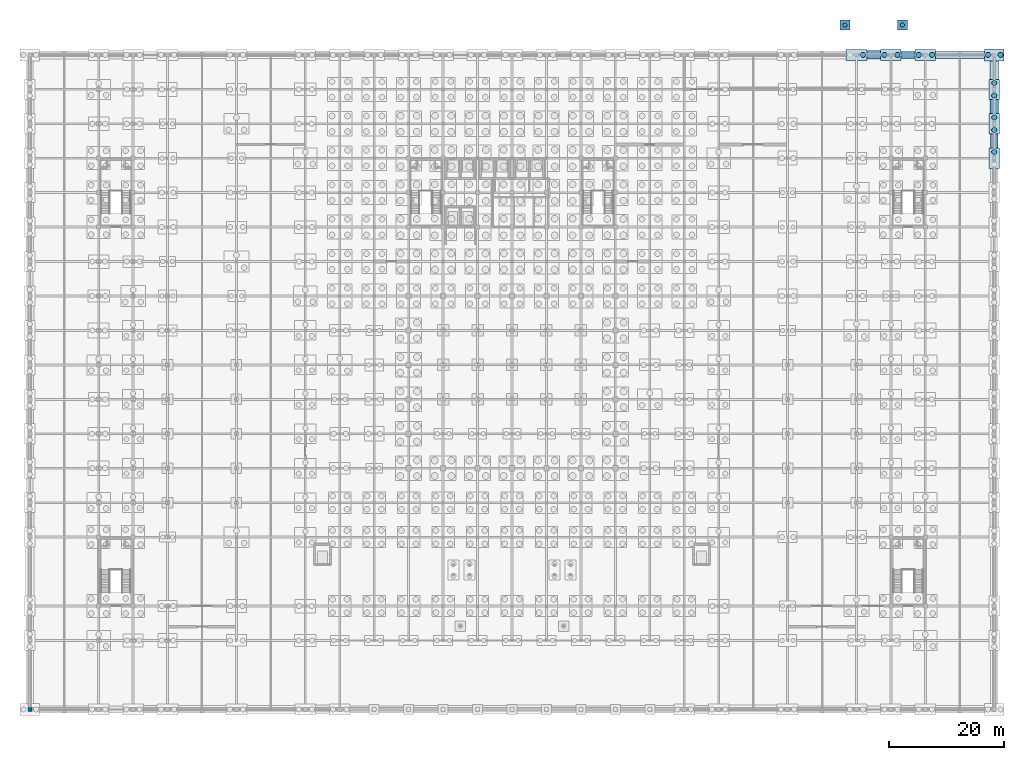
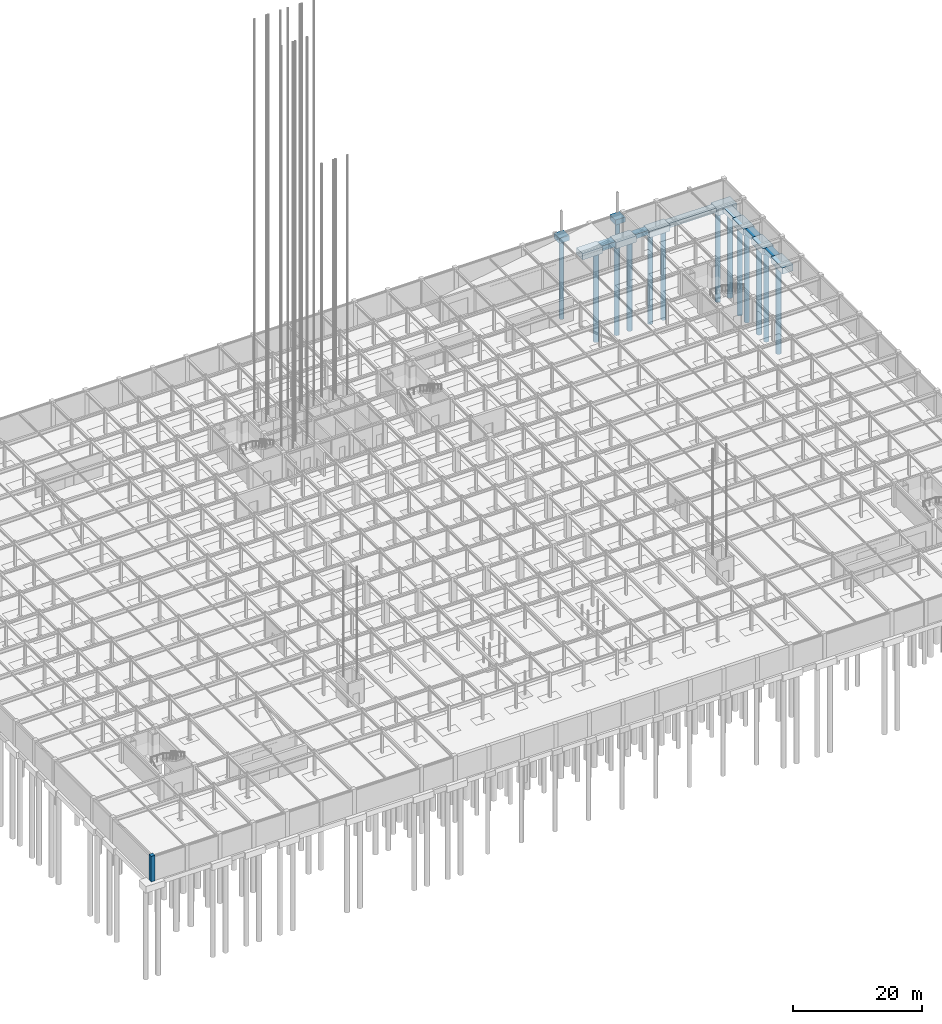
# One storey, part 11 of 69: 15 footings, 14 piles, 1 column.
"""IFC4 building model written with IfcOpenShell, lengths in metres."""

from ifc_helpers import new_model, si_unit, direction, frame, origin, origin_with_axes, origin_2d, place, context, subcontext, project, spatial, rectangle, circle, extrude, material, material_profile, profile_set, type_object, element, save


model = new_model("IFC4")

# Units and contexts
model_context = context("Model", 3, precision=1e-05, world=origin(), true_north=direction((0.0, 1.0)))
body_context = subcontext(model_context, "Body", "Model", "MODEL_VIEW")
ifc_project = project(units=[si_unit("LENGTHUNIT", "METRE"), si_unit("AREAUNIT", "SQUARE_METRE"), si_unit("VOLUMEUNIT", "CUBIC_METRE"), si_unit("PLANEANGLEUNIT", "RADIAN"), si_unit("MASSUNIT", "GRAM", prefix="KILO")], contexts=[model_context])

# Site, building, storey
site_placement = place(None, origin())
site = spatial("IfcSite", under=ifc_project, at=site_placement, CompositionType="ELEMENT")
building_placement = place(site_placement, origin())
building = spatial("IfcBuilding", under=site, at=building_placement, Name="Zlatovratsky Civic Hall", CompositionType="ELEMENT")
storey_placement = place(building_placement, frame((0.0, 0.0, -4.800048828125)))
storey = spatial("IfcBuildingStorey", under=building, at=storey_placement, Name="B1", CompositionType="ELEMENT", Elevation=-4.800048828125)

# Footings
ifc_material_1 = material(Name="Concrete C25/30 (B30)", Category="concrete")
footing_type_1 = type_object("IfcFootingType", Name="Footing_Cap1_ForecourtUnder_1750x1750x950", PredefinedType="PILE_CAP", material=ifc_material_1)
for number, where, z_axis, x_axis, name in (
    (1, (142.0, 119.199951171875, -0.94970703125), (0.0, 0.0, 1.0), (1.0, 0.0, 0.0), "FD-493"),
    (2, (152.0, 119.199951171875, -0.94970703125), (0.0, 0.0, 1.0), (1.0, 0.0, 0.0), "FD-494"),
):
    element("IfcFooting", number, at=place(storey_placement, frame(where, z_axis=z_axis, x_axis=x_axis)), inside=storey, type_object=footing_type_1, Name=name, PredefinedType="PILE_CAP", context=body_context, shape_type="SweptSolid", body=[
        extrude(rectangle(XDim=1.75, YDim=1.75, at=origin_2d()), origin(), (0.0, 0.0, 1.0), 0.949951171875),
    ])
footing_type_2 = type_object("IfcFootingType", Name="Footing_Cap2_CornerBastion_3400x2100x1250", PredefinedType="PILE_CAP", material=ifc_material_1)
footing_1_placement = place(storey_placement, frame((168.0, 114.0, -1.25), z_axis=(0.0, 0.0, 1.0), x_axis=(1.0, 0.0, 0.0)))
element("IfcFooting", 3, at=footing_1_placement, inside=storey, type_object=footing_type_2, Name="FD-414", PredefinedType="PILE_CAP", context=body_context, shape_type="SweptSolid", body=[
    extrude(rectangle(XDim=3.39990234375, YDim=2.10009765625, at=origin_2d()), origin(), (0.0, 0.0, 1.0), 1.25),
])
footing_type_3 = type_object("IfcFootingType", Name="Footing_Cap2_WingEdgeX_3600x1900x1200", PredefinedType="PILE_CAP", material=ifc_material_1)
for number, where, z_axis, x_axis, name in (
    (4, (144.0, 114.0, -1.19970703125), (0.0, 0.0, 1.0), (1.0, 0.0, 0.0), "FD-411"),
    (5, (150.0, 114.0, -1.19970703125), (0.0, 0.0, 1.0), (1.0, 0.0, 0.0), "FD-412"),
    (6, (156.0, 114.0, -1.19970703125), (0.0, 0.0, 1.0), (1.0, 0.0, 0.0), "FD-413"),
):
    element("IfcFooting", number, at=place(storey_placement, frame(where, z_axis=z_axis, x_axis=x_axis)), inside=storey, type_object=footing_type_3, Name=name, PredefinedType="PILE_CAP", context=body_context, shape_type="SweptSolid", body=[
        extrude(rectangle(XDim=3.60009765625, YDim=1.89990234375, at=origin_2d()), origin(), (0.0, 0.0, 1.0), 1.199951171875),
    ])
footing_type_4 = type_object("IfcFootingType", Name="Footing_Cap2_WingEdgeY_1900x3500x1200", PredefinedType="PILE_CAP", material=ifc_material_1)
for number, where, z_axis, x_axis, name in (
    (7, (168.0, 96.0, -1.19970703125), (0.0, 0.0, 1.0), (1.0, 0.0, 0.0), "FD-345"),
    (8, (168.0, 102.0, -1.19970703125), (0.0, 0.0, 1.0), (1.0, 0.0, 0.0), "FD-368"),
    (9, (168.0, 108.0, -1.19970703125), (0.0, 0.0, 1.0), (1.0, 0.0, 0.0), "FD-391"),
):
    element("IfcFooting", number, at=place(storey_placement, frame(where, z_axis=z_axis, x_axis=x_axis)), inside=storey, type_object=footing_type_4, Name=name, PredefinedType="PILE_CAP", context=body_context, shape_type="SweptSolid", body=[
        extrude(rectangle(XDim=1.89990234375, YDim=3.5, at=origin_2d()), origin(), (0.0, 0.0, 1.0), 1.199951171875),
    ])
footing_type_5 = type_object("IfcFootingType", Name="Footing_Strip_B1_01", PredefinedType="STRIP_FOOTING", material=ifc_material_1)
footing_2_placement = place(storey_placement, frame((153.0, 114.0, -0.85009765625), z_axis=(0.0, 0.0, 1.0), x_axis=(1.0, 0.0, 0.0)))
element("IfcFooting", 10, at=footing_2_placement, inside=storey, type_object=footing_type_5, Name="FD-457", PredefinedType="STRIP_FOOTING", context=body_context, shape_type="SweptSolid", body=[
    extrude(rectangle(XDim=2.39990234375, YDim=1.199951171875, at=origin_2d()), origin(), (0.0, 0.0, 1.0), 0.85009765625),
])
footing_type_6 = type_object("IfcFootingType", Name="Footing_Strip_B1_02", PredefinedType="STRIP_FOOTING", material=ifc_material_1)
footing_3_placement = place(storey_placement, frame((162.050048828125, 114.0, -0.85009765625), z_axis=(0.0, 0.0, 1.0), x_axis=(1.0, 0.0, 0.0)))
element("IfcFooting", 11, at=footing_3_placement, inside=storey, type_object=footing_type_6, Name="FD-458", PredefinedType="STRIP_FOOTING", context=body_context, shape_type="SweptSolid", body=[
    extrude(rectangle(XDim=8.5, YDim=1.25, at=origin_2d()), origin(), (0.0, 0.0, 1.0), 0.85009765625),
])
footing_type_7 = type_object("IfcFootingType", Name="Footing_Strip_B1_04", PredefinedType="STRIP_FOOTING", material=ifc_material_1)
footing_4_placement = place(storey_placement, frame((168.0, 99.0, -0.89990234375), z_axis=(0.0, 0.0, 1.0), x_axis=(1.0, 0.0, 0.0)))
element("IfcFooting", 12, at=footing_4_placement, inside=storey, type_object=footing_type_7, Name="FD-490", PredefinedType="STRIP_FOOTING", context=body_context, shape_type="SweptSolid", body=[
    extrude(rectangle(XDim=1.35009765625, YDim=2.5, at=origin_2d()), origin(), (0.0, 0.0, 1.0), 0.89990234375),
])
footing_type_8 = type_object("IfcFootingType", Name="Footing_Strip_B1_05", PredefinedType="STRIP_FOOTING", material=ifc_material_1)
footing_5_placement = place(storey_placement, frame((168.0, 105.0, -0.94970703125), z_axis=(0.0, 0.0, 1.0), x_axis=(1.0, 0.0, 0.0)))
element("IfcFooting", 13, at=footing_5_placement, inside=storey, type_object=footing_type_8, Name="FD-491", PredefinedType="STRIP_FOOTING", context=body_context, shape_type="SweptSolid", body=[
    extrude(rectangle(XDim=1.39990234375, YDim=2.5, at=origin_2d()), origin(), (0.0, 0.0, 1.0), 0.949951171875),
])
footing_type_9 = type_object("IfcFootingType", Name="Footing_Strip_B1_06", PredefinedType="STRIP_FOOTING", material=ifc_material_1)
footing_6_placement = place(storey_placement, frame((147.0, 114.0, -0.94970703125), z_axis=(0.0, 0.0, 1.0), x_axis=(1.0, 0.0, 0.0)))
element("IfcFooting", 14, at=footing_6_placement, inside=storey, type_object=footing_type_9, Name="FD-456", PredefinedType="STRIP_FOOTING", context=body_context, shape_type="SweptSolid", body=[
    extrude(rectangle(XDim=2.39990234375, YDim=1.449951171875, at=origin_2d()), origin(), (0.0, 0.0, 1.0), 0.949951171875),
])
footing_7_placement = place(storey_placement, frame((168.0, 111.35009765625, -0.94970703125), z_axis=(0.0, 0.0, 1.0), x_axis=(1.0, 0.0, 0.0)))
element("IfcFooting", 15, at=footing_7_placement, inside=storey, type_object=footing_type_9, Name="FD-492", PredefinedType="STRIP_FOOTING", context=body_context, shape_type="SweptSolid", body=[
    extrude(rectangle(XDim=1.449951171875, YDim=3.199951171875, at=origin_2d()), origin(), (0.0, 0.0, 1.0), 0.949951171875),
])

# Piles
ifc_material_profile_1 = material_profile(ifc_material_1, circle(Radius=0.375, at=origin_2d()), Name="PILE D750")
ifc_profile_set_1 = profile_set([ifc_material_profile_1], Name="Concrete C25/30 (B30)")
pile_type_1 = type_object("IfcPileType", Name="Pile_Bored_D750", PredefinedType="BORED", material=ifc_profile_set_1)
for number, where, z_axis, x_axis, name in (
    (16, (142.0, 119.199951171875, -0.849853515625), (0.0, 0.0, -1.0), (1.0, 0.0, 0.0), "PL-1122"),
    (17, (152.0, 119.199951171875, -0.849853515625), (0.0, 0.0, -1.0), (1.0, 0.0, 0.0), "PL-1123"),
):
    element("IfcPile", number, at=place(storey_placement, frame(where, z_axis=z_axis, x_axis=x_axis)), inside=storey, type_object=pile_type_1, Name=name, PredefinedType="BORED", context=body_context, shape_type="SweptSolid", body=[
        extrude(circle(Radius=0.375, at=origin_2d()), origin(), (0.0, 0.0, 1.0), 15.0),
    ])
ifc_material_profile_2 = material_profile(ifc_material_1, circle(Radius=0.449951171875, at=origin_2d()), Name="PILE D900")
ifc_profile_set_2 = profile_set([ifc_material_profile_2], Name="Concrete C25/30 (B30)")
pile_type_2 = type_object("IfcPileType", Name="Pile_Bored_D900", PredefinedType="BORED", material=ifc_profile_set_2)
for number, where, z_axis, x_axis, name in (
    (18, (168.0, 97.10009765625, -1.099853515625), (0.0, 0.0, -1.0), (1.0, 0.0, 0.0), "PL-0936"),
    (19, (168.0, 100.89990234375, -1.099853515625), (0.0, 0.0, -1.0), (1.0, 0.0, 0.0), "PL-1004"),
    (20, (168.0, 103.10009765625, -1.099853515625), (0.0, 0.0, -1.0), (1.0, 0.0, 0.0), "PL-1005"),
    (21, (168.0, 106.89990234375, -1.099853515625), (0.0, 0.0, -1.0), (1.0, 0.0, 0.0), "PL-1074"),
    (22, (168.0, 109.10009765625, -1.099853515625), (0.0, 0.0, -1.0), (1.0, 0.0, 0.0), "PL-1075"),
    (23, (145.14990234375, 114.0, -1.099853515625), (0.0, 0.0, -1.0), (1.0, 0.0, 0.0), "PL-1115"),
    (24, (148.85009765625, 114.0, -1.099853515625), (0.0, 0.0, -1.0), (1.0, 0.0, 0.0), "PL-1116"),
    (25, (151.14990234375, 114.0, -1.099853515625), (0.0, 0.0, -1.0), (1.0, 0.0, 0.0), "PL-1117"),
    (26, (154.85009765625, 114.0, -1.099853515625), (0.0, 0.0, -1.0), (1.0, 0.0, 0.0), "PL-1118"),
    (27, (157.14990234375, 114.0, -1.099853515625), (0.0, 0.0, -1.0), (1.0, 0.0, 0.0), "PL-1119"),
    (28, (166.89990234375, 114.0, -1.14990234375), (0.0, 0.0, -1.0), (1.0, 0.0, 0.0), "PL-1120"),
    (29, (169.10009765625, 114.0, -1.14990234375), (0.0, 0.0, -1.0), (1.0, 0.0, 0.0), "PL-1121"),
):
    element("IfcPile", number, at=place(storey_placement, frame(where, z_axis=z_axis, x_axis=x_axis)), inside=storey, type_object=pile_type_2, Name=name, PredefinedType="BORED", context=body_context, shape_type="SweptSolid", body=[
        extrude(circle(Radius=0.449951171875, at=origin_2d()), origin(), (0.0, 0.0, 1.0), 17.0),
    ])

# Column
ifc_material_2 = material(Name="Concrete C35/45 (B40)", Category="concrete")
ifc_material_profile_3 = material_profile(ifc_material_2, rectangle(XDim=0.699951171875, YDim=0.699951171875, at=origin_2d()), Name="RC 700x700")
ifc_profile_set_3 = profile_set([ifc_material_profile_3], Name="Concrete C35/45 (B40)")
column_type = type_object("IfcColumnType", Name="Col_CorePier_RC700", PredefinedType="COLUMN", material=ifc_profile_set_3)
column_placement = place(storey_placement, origin_with_axes())
element("IfcColumn", 30, at=column_placement, inside=storey, type_object=column_type, Name="CL-0003", PredefinedType="COLUMN", context=body_context, shape_type="SweptSolid", body=[
    extrude(rectangle(XDim=0.699951171875, YDim=0.699951171875, at=origin_2d()), origin(), (0.0, 0.0, 1.0), 4.800048828125),
])

save(model, "model.ifc")
